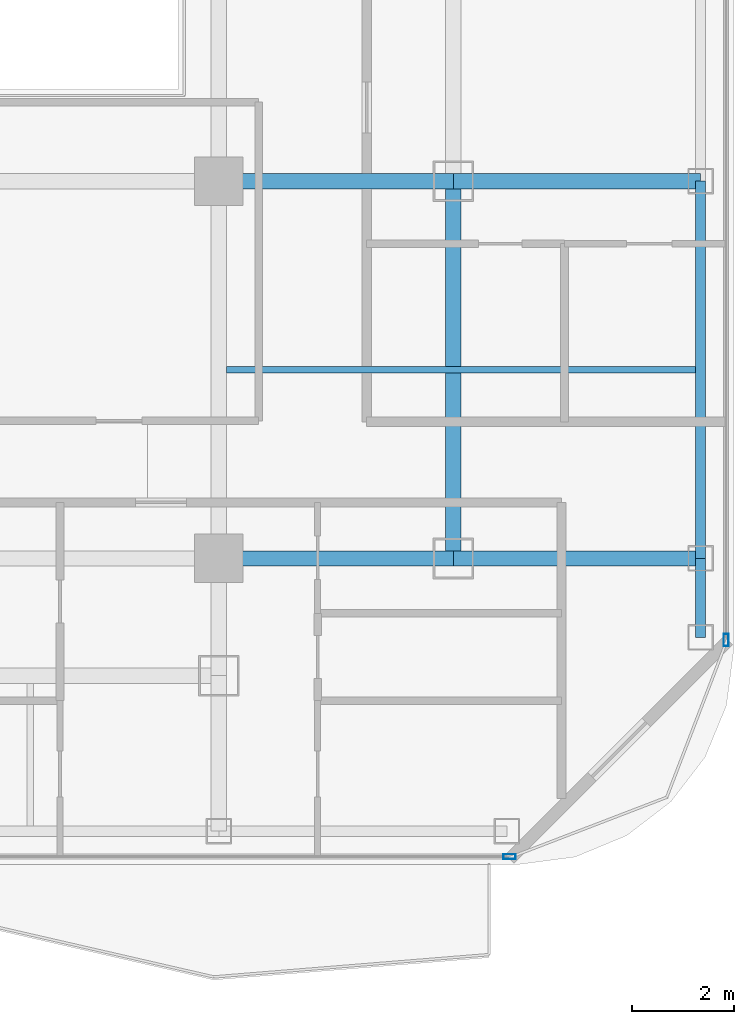
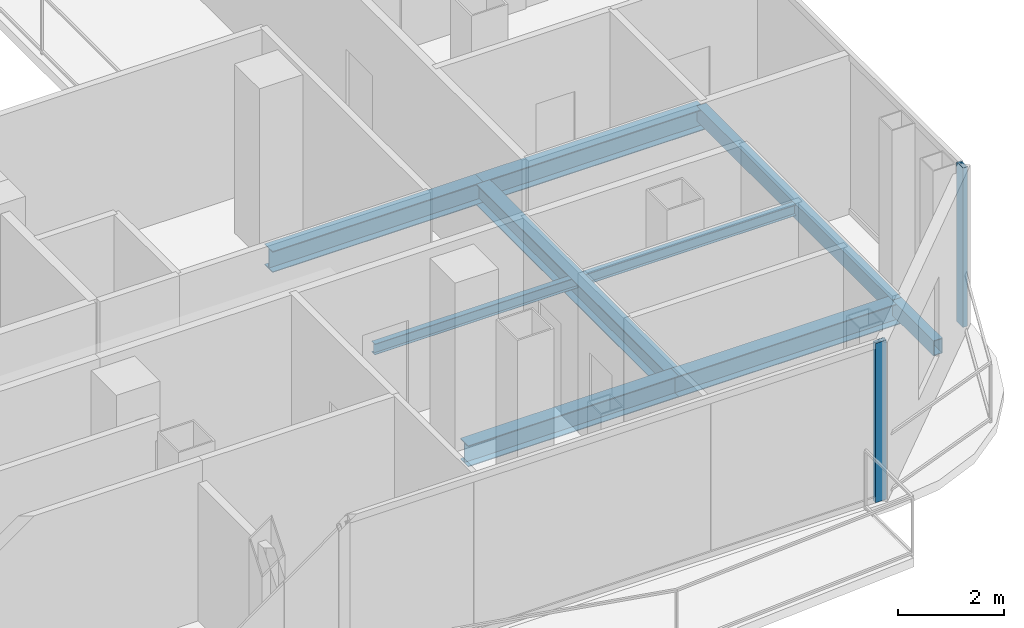
# One storey, part 7 of 23: 8 beams, 2 members, 2 elements without a shape of their own.
"""IFC4 building model written with IfcOpenShell, lengths in metres."""

from ifc_helpers import new_model, si_unit, direction, frame, origin, origin_2d, place, context, subcontext, project, spatial, hollow_rectangle, i_section, extrude, material, layer, layer_set, material_profile, profile_set, type_object, element, aggregate, save


model = new_model("IFC4")

# Units and contexts
model_context = context("Model", 3, precision=1e-05, world=origin(), true_north=direction((0.0, 1.0)))
body_context = subcontext(model_context, "Body", "Model", "MODEL_VIEW")
ifc_project = project(units=[si_unit("LENGTHUNIT", "METRE"), si_unit("AREAUNIT", "SQUARE_METRE"), si_unit("VOLUMEUNIT", "CUBIC_METRE"), si_unit("PLANEANGLEUNIT", "RADIAN"), si_unit("MASSUNIT", "GRAM", prefix="KILO")], contexts=[model_context])

# Site, building, storey
site_placement = place(None, origin())
site = spatial("IfcSite", under=ifc_project, at=site_placement, CompositionType="ELEMENT")
building_placement = place(site_placement, origin())
building = spatial("IfcBuilding", under=site, at=building_placement, Name="Khorvyn Point Tower", CompositionType="ELEMENT")
storey_placement = place(building_placement, frame((0.0, 0.0, 258.60009765625)))
storey = spatial("IfcBuildingStorey", under=building, at=storey_placement, Name="L63", CompositionType="ELEMENT", Elevation=258.60009765625)

# Curtain wall, member
ifc_material_1 = material(Name="Anodised aluminium 6063-T6 and laminated Low-E glass", Category="aluminium")
ifc_layer = layer(ifc_material_1, 0.18994140625)
ifc_layer_set = layer_set([ifc_layer], Name="Stick-Built High-Wind Curtain Wall CW-SYS-04")
curtain_wall_type = type_object("IfcCurtainWallType", Name="Stick-Built High-Wind Curtain Wall CW-SYS-04", PredefinedType="NOTDEFINED", material=ifc_layer_set)
curtain_wall_1_placement = place(storey_placement, origin())
curtain_wall_1 = element("IfcCurtainWall", 1, at=curtain_wall_1_placement, inside=storey, type_object=curtain_wall_type, Name="Curtain Wall", PredefinedType="NOTDEFINED")
ifc_material_2 = material(Name="Anodised aluminium 6063-T6", Category="aluminium")
ifc_material_profile_1 = material_profile(ifc_material_2, hollow_rectangle(XDim=0.10009765625, YDim=0.239990234375, WallThickness=0.0048828125, at=origin_2d()))
ifc_profile_set_1 = profile_set([ifc_material_profile_1], Name="Anodised aluminium 6063-T6 ALU-MUL-100x240")
member_type = type_object("IfcMemberType", Name="Anodised Aluminium 6063-T6 Mullion ALU-MUL-100x240", PredefinedType="MULLION", material=ifc_profile_set_1)
member_1_placement = place(storey_placement, frame((20.5, -20.64990234375, 0.0), z_axis=(0.0, 0.0, 1.0), x_axis=(0.0, -1.0, 0.0)))
member_1 = element("IfcMember", 2, at=member_1_placement, type_object=member_type, Name="Transom", PredefinedType="MULLION", context=body_context, shape_type="SweptSolid", body=[
    extrude(hollow_rectangle(XDim=0.10009765625, YDim=0.239990234375, WallThickness=0.0048828125, at=origin_2d()), origin(), (0.0, 0.0, 1.0), 3.679931640625),
])
aggregate(curtain_wall_1, [member_1])

curtain_wall_2_placement = place(storey_placement, origin())
curtain_wall_2 = element("IfcCurtainWall", 3, at=curtain_wall_2_placement, inside=storey, type_object=curtain_wall_type, Name="Curtain Wall", PredefinedType="NOTDEFINED")
member_2_placement = place(storey_placement, frame((24.75, -16.39990234375, 0.0), z_axis=(0.0, 0.0, 1.0), x_axis=(1.0, 0.0, 0.0)))
member_2 = element("IfcMember", 4, at=member_2_placement, type_object=member_type, Name="Transom", PredefinedType="MULLION", context=body_context, shape_type="SweptSolid", body=[
    extrude(hollow_rectangle(XDim=0.10009765625, YDim=0.239990234375, WallThickness=0.0048828125, at=origin_2d()), origin(), (0.0, 0.0, 1.0), 3.679931640625),
])
aggregate(curtain_wall_2, [member_2])

# Beams
ifc_material_3 = material(Name="Steel S355", Category="steel")
ifc_material_profile_2 = material_profile(ifc_material_3, i_section(OverallWidth=0.125, OverallDepth=0.25, WebThickness=0.006103515625, FlangeThickness=0.009033203125, at=origin_2d()))
ifc_profile_set_2 = profile_set([ifc_material_profile_2], Name="Steel S355 H250x125x6x9")
beam_type_1 = type_object("IfcBeamType", Name="Steel S355 Joist H250x125x6x9", PredefinedType="JOIST", material=ifc_profile_set_2)
beam_1_placement = place(storey_placement, frame((14.949951171875, -11.10009765625, -0.34521484375), z_axis=(1.0, 0.0, 0.0), x_axis=(0.0, 1.0, 0.0)))
element("IfcBeam", 5, at=beam_1_placement, inside=storey, type_object=beam_type_1, Name="Beam", PredefinedType="JOIST", context=body_context, shape_type="SweptSolid", body=[
    extrude(i_section(OverallWidth=0.125, OverallDepth=0.25, WebThickness=0.006103515625, FlangeThickness=0.009033203125, at=origin_2d()), origin(), (0.0, 0.0, 1.0), 9.199951171875),
])
ifc_material_profile_3 = material_profile(ifc_material_3, i_section(OverallWidth=0.300048828125, OverallDepth=0.488037109375, WebThickness=0.010986328125, FlangeThickness=0.01806640625, at=origin_2d()))
ifc_profile_set_3 = profile_set([ifc_material_profile_3], Name="Steel S355 H488x300x11x18")
beam_type_2 = type_object("IfcBeamType", Name="Steel S355 Spandrel H488x300x11x18", PredefinedType="SPANDREL", material=ifc_profile_set_3)
beam_2_placement = place(storey_placement, frame((14.800048828125, -14.800048828125, -0.464111328125), z_axis=(1.0, 0.0, 0.0), x_axis=(0.0, 1.0, 0.0)))
element("IfcBeam", 6, at=beam_2_placement, inside=storey, type_object=beam_type_2, Name="Beam", PredefinedType="SPANDREL", context=body_context, shape_type="SweptSolid", body=[
    extrude(i_section(OverallWidth=0.300048828125, OverallDepth=0.488037109375, WebThickness=0.010986328125, FlangeThickness=0.01806640625, at=origin_2d()), origin(), (0.0, 0.0, 1.0), 4.599853515625),
])
beam_3_placement = place(storey_placement, frame((19.39990234375, -14.800048828125, -0.464111328125), z_axis=(1.0, 0.0, 0.0), x_axis=(0.0, 1.0, 0.0)))
element("IfcBeam", 7, at=beam_3_placement, inside=storey, type_object=beam_type_2, Name="Beam", PredefinedType="SPANDREL", context=body_context, shape_type="SweptSolid", body=[
    extrude(i_section(OverallWidth=0.300048828125, OverallDepth=0.488037109375, WebThickness=0.010986328125, FlangeThickness=0.01806640625, at=origin_2d()), origin(), (0.0, 0.0, 1.0), 4.85009765625),
])
beam_4_placement = place(storey_placement, frame((14.800048828125, -7.39990234375, -0.464111328125), z_axis=(1.0, 0.0, 0.0), x_axis=(0.0, 1.0, 0.0)))
element("IfcBeam", 8, at=beam_4_placement, inside=storey, type_object=beam_type_2, Name="Beam", PredefinedType="SPANDREL", context=body_context, shape_type="SweptSolid", body=[
    extrude(i_section(OverallWidth=0.300048828125, OverallDepth=0.488037109375, WebThickness=0.010986328125, FlangeThickness=0.01806640625, at=origin_2d()), origin(), (0.0, 0.0, 1.0), 4.599853515625),
])
beam_5_placement = place(storey_placement, frame((19.39990234375, -7.39990234375, -0.464111328125), z_axis=(1.0, 0.0, 0.0), x_axis=(0.0, 1.0, 0.0)))
element("IfcBeam", 9, at=beam_5_placement, inside=storey, type_object=beam_type_2, Name="Beam", PredefinedType="SPANDREL", context=body_context, shape_type="SweptSolid", body=[
    extrude(i_section(OverallWidth=0.300048828125, OverallDepth=0.488037109375, WebThickness=0.010986328125, FlangeThickness=0.01806640625, at=origin_2d()), origin(), (0.0, 0.0, 1.0), 4.85009765625),
])
beam_6_placement = place(storey_placement, frame((19.39990234375, -14.800048828125, -0.464111328125), z_axis=(0.0, 1.0, 0.0), x_axis=(-1.0, 0.0, 0.0)))
element("IfcBeam", 10, at=beam_6_placement, inside=storey, type_object=beam_type_2, Name="Beam", PredefinedType="SPANDREL", context=body_context, shape_type="SweptSolid", body=[
    extrude(i_section(OverallWidth=0.300048828125, OverallDepth=0.488037109375, WebThickness=0.010986328125, FlangeThickness=0.01806640625, at=origin_2d()), origin(), (0.0, 0.0, 1.0), 7.400146484375),
])
ifc_material_profile_4 = material_profile(ifc_material_3, hollow_rectangle(XDim=0.199951171875, YDim=0.35009765625, WallThickness=0.013916015625, at=origin_2d()))
ifc_profile_set_4 = profile_set([ifc_material_profile_4], Name="Steel S355 RHS350x200x14")
beam_type_3 = type_object("IfcBeamType", Name="Steel S355 Spandrel RHS350x200x14", PredefinedType="SPANDREL", material=ifc_profile_set_4)
beam_7_placement = place(storey_placement, frame((24.25, -16.35009765625, -0.39501953125), z_axis=(0.0, 1.0, 0.0), x_axis=(-1.0, 0.0, 0.0)))
element("IfcBeam", 11, at=beam_7_placement, inside=storey, type_object=beam_type_3, Name="Beam", PredefinedType="SPANDREL", context=body_context, shape_type="SweptSolid", body=[
    extrude(hollow_rectangle(XDim=0.199951171875, YDim=0.35009765625, WallThickness=0.013916015625, at=origin_2d()), origin(), (0.0, 0.0, 1.0), 1.550048828125),
])
beam_8_placement = place(storey_placement, frame((24.25, -14.800048828125, -0.39501953125), z_axis=(0.0, 1.0, 0.0), x_axis=(-1.0, 0.0, 0.0)))
element("IfcBeam", 12, at=beam_8_placement, inside=storey, type_object=beam_type_3, Name="Beam", PredefinedType="SPANDREL", context=body_context, shape_type="SweptSolid", body=[
    extrude(hollow_rectangle(XDim=0.199951171875, YDim=0.35009765625, WallThickness=0.013916015625, at=origin_2d()), origin(), (0.0, 0.0, 1.0), 7.400146484375),
])

save(model, "model.ifc")
